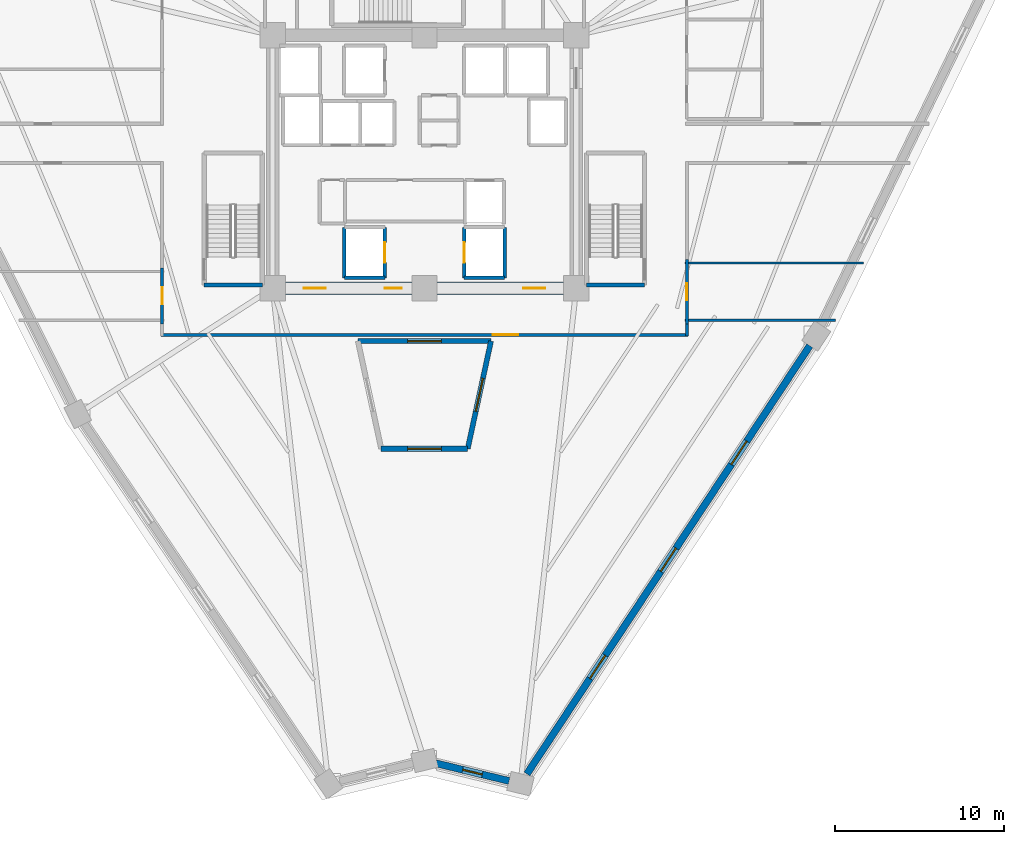
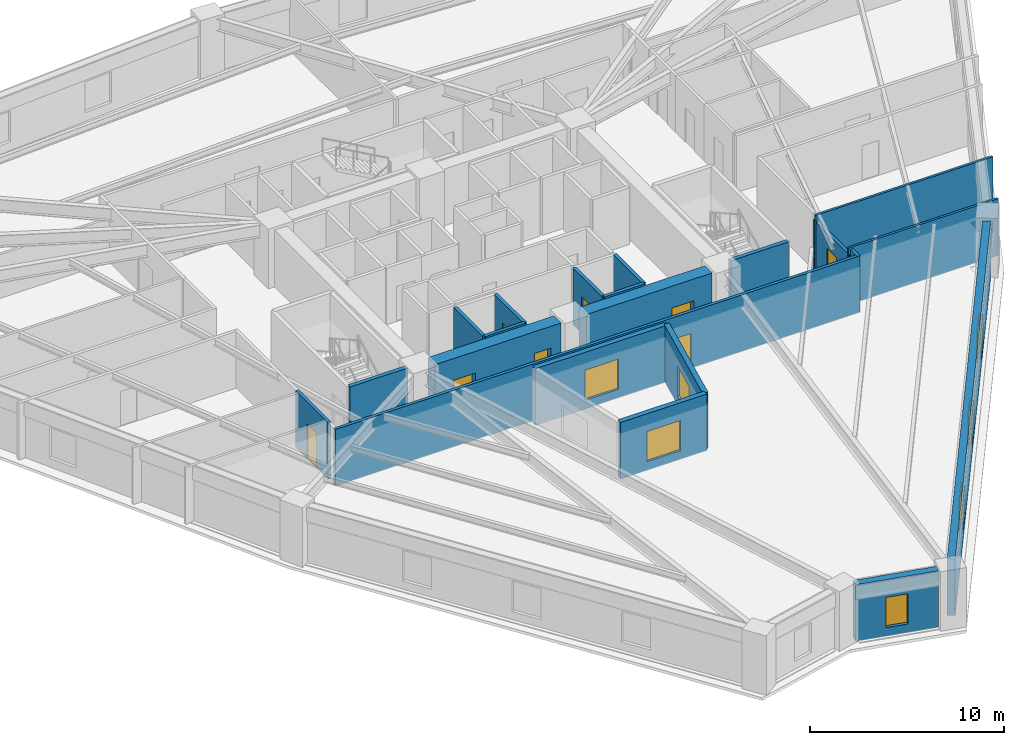
# One storey, part 3 of 10: 21 walls, 8 doors, 7 windows, 15 openings.
"""IFC4 building model written with IfcOpenShell, lengths in metres."""

from ifc_helpers import new_model, si_unit, direction, frame, frame_2d, origin, place, context, subcontext, project, spatial, rectangle, extrude, source, transform, mapped, material, layer, layer_set, type_object, element, fill, save


model = new_model("IFC4")

# Units and contexts
model_context = context("Model", 3, precision=1e-05, world=origin(), true_north=direction((0.0, 1.0)))
body_context = subcontext(model_context, "Body", "Model", "MODEL_VIEW")
ifc_project = project(units=[si_unit("LENGTHUNIT", "METRE"), si_unit("AREAUNIT", "SQUARE_METRE"), si_unit("VOLUMEUNIT", "CUBIC_METRE"), si_unit("PLANEANGLEUNIT", "RADIAN"), si_unit("MASSUNIT", "GRAM", prefix="KILO")], contexts=[model_context])

# Site, building, storey
site_placement = place(None, origin())
site = spatial("IfcSite", under=ifc_project, at=site_placement, CompositionType="ELEMENT")
building_placement = place(site_placement, origin())
building = spatial("IfcBuilding", under=site, at=building_placement, Name="Liaohun Quay Tower", CompositionType="ELEMENT")
storey_placement = place(building_placement, frame((0.0, 0.0, 166.5)))
storey = spatial("IfcBuildingStorey", under=building, at=storey_placement, Name="L43", CompositionType="ELEMENT", Elevation=166.5)

# Wall, opening, window
ifc_material_1 = material(Name="Concrete C50", Category="concrete")
ifc_layer_1 = layer(ifc_material_1, 0.300048828125, Name="Concrete C50", Category="concrete")
ifc_layer_set_1 = layer_set([ifc_layer_1], Name="Concrete C50")
wall_type_1 = type_object("IfcWallType", Name="WAL-ATR-300", PredefinedType="SOLIDWALL", material=ifc_layer_set_1)
wall_1_placement = place(storey_placement, frame((56.054931640625, 43.3701171875, 0.0), z_axis=(0.0, 0.0, 1.0), x_axis=(1.0, 0.0, 0.0)))
wall_1 = element("IfcWall", 1, at=wall_1_placement, inside=storey, type_object=wall_type_1, Name="L43 Atrium Fire Compartment Wall 2", PredefinedType="SOLIDWALL", context=body_context, shape_type="SweptSolid", body=[
    extrude(rectangle(XDim=7.89013671875, YDim=0.300048828125, at=frame_2d((3.945068359375, 0.0))), origin(), (0.0, 0.0, 1.0), 3.570068359375),
])
shared_shape_1 = source(origin(), body_context, "Body", "SweptSolid", [
    extrude(rectangle(XDim=2.0, YDim=1.89990234375, at=frame_2d((1.0, 0.949951171875))), frame((0.0, 0.159912109375, 0.0), z_axis=(0.0, -1.0, 0.0), x_axis=(1.0, 0.0, 0.0)), (0.0, 0.0, 1.0), 0.320068359375),
])
opening_1_placement = place(wall_1_placement, frame((2.945068359375, 0.0, 0.550048828125)))
opening_1 = element("IfcOpeningElement", 2, at=opening_1_placement, cuts=wall_1, Name="Opening W07", PredefinedType="OPENING", context=body_context, shape_type="MappedRepresentation", body=[
    mapped(shared_shape_1, transform((0.0, 0.0, 0.0), x_axis=(1.0, 0.0, 0.0), y_axis=(0.0, 1.0, 0.0), z_axis=(0.0, 0.0, 1.0), scale=1.0)),
])
ifc_material_2 = material(Name="Class A 180-min fire-resistant insulated glazing", Category="glass")
window_type_1 = type_object("IfcWindowType", Name="WIN-ATR-FIR", PartitioningType="DOUBLE_PANEL_VERTICAL", PredefinedType="WINDOW", material=ifc_material_2)
shared_shape_2 = source(origin(), body_context, "Body", "SweptSolid", [
    extrude(rectangle(XDim=2.0, YDim=1.89990234375, at=frame_2d((1.0, 0.949951171875))), frame((0.0, 0.030029296875, 0.0), z_axis=(0.0, -1.0, 0.0), x_axis=(1.0, 0.0, 0.0)), (0.0, 0.0, 1.0), 0.06005859375),
])
window_1_placement = place(opening_1_placement, origin())
window_1 = element("IfcWindow", 3, at=window_1_placement, inside=storey, type_object=window_type_1, Name="L43 Atrium Fire-Resistant Glazing W07-2", OverallHeight=1.89990234375, OverallWidth=2.0, PartitioningType="DOUBLE_PANEL_VERTICAL", PredefinedType="WINDOW", context=body_context, shape_type="MappedRepresentation", body=[
    mapped(shared_shape_2, transform((0.0, 0.0, 0.0), x_axis=(1.0, 0.0, 0.0), y_axis=(0.0, 1.0, 0.0), z_axis=(0.0, 0.0, 1.0), scale=1.0)),
])
fill(opening_1, window_1)

wall_2_placement = place(storey_placement, frame((63.945068359375, 43.3701171875, 0.0), z_axis=(0.0, 0.0, 1.0), x_axis=(-0.211414812525, -0.977396427784, 0.0)))
wall_2 = element("IfcWall", 4, at=wall_2_placement, inside=storey, type_object=wall_type_1, Name="L43 Atrium Fire Compartment Wall 3", PredefinedType="SOLIDWALL", context=body_context, shape_type="SweptSolid", body=[
    extrude(rectangle(XDim=6.53271484375, YDim=0.300048828125, at=frame_2d((3.266357421875, 0.0))), origin(), (0.0, 0.0, 1.0), 3.570068359375),
])
opening_2_placement = place(wall_2_placement, frame((2.26611328125, 0.0, 0.550048828125)))
opening_2 = element("IfcOpeningElement", 5, at=opening_2_placement, cuts=wall_2, Name="Opening W07", PredefinedType="OPENING", context=body_context, shape_type="MappedRepresentation", body=[
    mapped(shared_shape_1, transform((0.0, 0.0, 0.0), x_axis=(1.0, 0.0, 0.0), y_axis=(0.0, 1.0, 0.0), z_axis=(0.0, 0.0, 1.0), scale=1.0)),
])
window_2_placement = place(opening_2_placement, origin())
window_2 = element("IfcWindow", 6, at=window_2_placement, inside=storey, type_object=window_type_1, Name="L43 Atrium Fire-Resistant Glazing W07-3", OverallHeight=1.89990234375, OverallWidth=2.0, PartitioningType="DOUBLE_PANEL_VERTICAL", PredefinedType="WINDOW", context=body_context, shape_type="MappedRepresentation", body=[
    mapped(shared_shape_2, transform((0.0, 0.0, 0.0), x_axis=(1.0, 0.0, 0.0), y_axis=(0.0, 1.0, 0.0), z_axis=(0.0, 0.0, 1.0), scale=1.0)),
])
fill(opening_2, window_2)

wall_3_placement = place(storey_placement, frame((62.56396484375, 36.985107421875, 0.0), z_axis=(0.0, 0.0, 1.0), x_axis=(-1.0, 0.0, 0.0)))
wall_3 = element("IfcWall", 7, at=wall_3_placement, inside=storey, type_object=wall_type_1, Name="L43 Atrium Fire Compartment Wall 4", PredefinedType="SOLIDWALL", context=body_context, shape_type="SweptSolid", body=[
    extrude(rectangle(XDim=5.1279296875, YDim=0.300048828125, at=frame_2d((2.56396484375, 0.0))), origin(), (0.0, 0.0, 1.0), 3.570068359375),
])
opening_3_placement = place(wall_3_placement, frame((1.56396484375, 0.0, 0.550048828125)))
opening_3 = element("IfcOpeningElement", 8, at=opening_3_placement, cuts=wall_3, Name="Opening W07", PredefinedType="OPENING", context=body_context, shape_type="MappedRepresentation", body=[
    mapped(shared_shape_1, transform((0.0, 0.0, 0.0), x_axis=(1.0, 0.0, 0.0), y_axis=(0.0, 1.0, 0.0), z_axis=(0.0, 0.0, 1.0), scale=1.0)),
])
window_3_placement = place(opening_3_placement, origin())
window_3 = element("IfcWindow", 9, at=window_3_placement, inside=storey, type_object=window_type_1, Name="L43 Atrium Fire-Resistant Glazing W07-4", OverallHeight=1.89990234375, OverallWidth=2.0, PartitioningType="DOUBLE_PANEL_VERTICAL", PredefinedType="WINDOW", context=body_context, shape_type="MappedRepresentation", body=[
    mapped(shared_shape_2, transform((0.0, 0.0, 0.0), x_axis=(1.0, 0.0, 0.0), y_axis=(0.0, 1.0, 0.0), z_axis=(0.0, 0.0, 1.0), scale=1.0)),
])
fill(opening_3, window_3)

# Wall, opening, door
ifc_material_3 = material(Name="Concrete C60", Category="concrete")
ifc_layer_2 = layer(ifc_material_3, 0.75, Name="Concrete C60", Category="concrete")
ifc_layer_set_2 = layer_set([ifc_layer_2], Name="Concrete C60")
wall_type_2 = type_object("IfcWallType", Name="WAL-COR-Z2", PredefinedType="SHEAR", material=ifc_layer_set_2)
wall_4_placement = place(storey_placement, frame((68.25, 46.5, 0.0), z_axis=(0.0, 0.0, 1.0), x_axis=(-1.0, 0.0, 0.0)))
wall_4 = element("IfcWall", 10, at=wall_4_placement, inside=storey, type_object=wall_type_2, Name="L43 Central Core Shear Wall S-E", PredefinedType="SHEAR", context=body_context, shape_type="SweptSolid", body=[
    extrude(rectangle(XDim=7.5, YDim=0.75, at=frame_2d((3.75, 0.0))), origin(), (0.0, 0.0, 1.0), 3.570068359375),
])
shared_shape_3 = source(origin(), body_context, "Body", "SweptSolid", [
    extrude(rectangle(XDim=1.300048828125, YDim=2.199951171875, at=frame_2d((0.64990234375, 1.10009765625))), frame((0.0, 0.385009765625, 0.0), z_axis=(0.0, -1.0, 0.0), x_axis=(1.0, 0.0, 0.0)), (0.0, 0.0, 1.0), 0.77001953125),
])
opening_4_placement = place(wall_4_placement, frame((1.10009765625, 0.0, 0.0)))
opening_4 = element("IfcOpeningElement", 11, at=opening_4_placement, cuts=wall_4, Name="Opening FD1", PredefinedType="OPENING", context=body_context, shape_type="MappedRepresentation", body=[
    mapped(shared_shape_3, transform((0.0, 0.0, 0.0), x_axis=(1.0, 0.0, 0.0), y_axis=(0.0, 1.0, 0.0), z_axis=(0.0, 0.0, 1.0), scale=1.0)),
])
ifc_material_4 = material(Name="Galvanised steel smokeproof fire door", Category="steel")
door_type_1 = type_object("IfcDoorType", Name="DOR-FFL-1300", OperationType="NOTDEFINED", PredefinedType="DOOR", material=ifc_material_4)
shared_shape_4 = source(origin(), body_context, "Body", "SweptSolid", [
    extrude(rectangle(XDim=1.300048828125, YDim=2.199951171875, at=frame_2d((0.64990234375, 1.10009765625))), frame((0.0, 0.02490234375, 0.0), z_axis=(0.0, -1.0, 0.0), x_axis=(1.0, 0.0, 0.0)), (0.0, 0.0, 1.0), 0.050048828125),
])
door_1_placement = place(opening_4_placement, origin())
door_1 = element("IfcDoor", 12, at=door_1_placement, inside=storey, type_object=door_type_1, Name="L43 East Core Lift Lobby Smokeproof Door", OperationType="SINGLE_SWING_LEFT", OverallHeight=2.199951171875, OverallWidth=1.300048828125, PredefinedType="DOOR", context=body_context, shape_type="MappedRepresentation", body=[
    mapped(shared_shape_4, transform((0.0, 0.0, 0.0), x_axis=(1.0, 0.0, 0.0), y_axis=(0.0, 1.0, 0.0), z_axis=(0.0, 0.0, 1.0), scale=1.0)),
])
fill(opening_4, door_1)

# Wall, openings, doors
wall_5_placement = place(storey_placement, frame((59.25, 46.5, 0.0), z_axis=(0.0, 0.0, 1.0), x_axis=(-1.0, 0.0, 0.0)))
wall_5 = element("IfcWall", 13, at=wall_5_placement, inside=storey, type_object=wall_type_2, Name="L43 Central Core Shear Wall S-W", PredefinedType="SHEAR", context=body_context, shape_type="SweptSolid", body=[
    extrude(rectangle(XDim=7.5, YDim=0.75, at=frame_2d((3.75, 0.0))), origin(), (0.0, 0.0, 1.0), 3.570068359375),
])
opening_5_placement = place(wall_5_placement, frame((5.10009765625, 0.0, 0.0)))
opening_5 = element("IfcOpeningElement", 14, at=opening_5_placement, cuts=wall_5, Name="Opening FD1", PredefinedType="OPENING", context=body_context, shape_type="MappedRepresentation", body=[
    mapped(shared_shape_3, transform((0.0, 0.0, 0.0), x_axis=(1.0, 0.0, 0.0), y_axis=(0.0, 1.0, 0.0), z_axis=(0.0, 0.0, 1.0), scale=1.0)),
])
shared_shape_5 = source(origin(), body_context, "Body", "SweptSolid", [
    extrude(rectangle(XDim=1.0, YDim=2.199951171875, at=frame_2d((0.5, 1.10009765625))), frame((0.0, 0.385009765625, 0.0), z_axis=(0.0, -1.0, 0.0), x_axis=(1.0, 0.0, 0.0)), (0.0, 0.0, 1.0), 0.77001953125),
])
opening_6_placement = place(wall_5_placement, frame((0.60009765625, 0.0, 0.0)))
opening_6 = element("IfcOpeningElement", 15, at=opening_6_placement, cuts=wall_5, Name="Opening FD2", PredefinedType="OPENING", context=body_context, shape_type="MappedRepresentation", body=[
    mapped(shared_shape_5, transform((0.0, 0.0, 0.0), x_axis=(1.0, 0.0, 0.0), y_axis=(0.0, 1.0, 0.0), z_axis=(0.0, 0.0, 1.0), scale=1.0)),
])
door_2_placement = place(opening_5_placement, origin())
door_2 = element("IfcDoor", 16, at=door_2_placement, inside=storey, type_object=door_type_1, Name="L43 West Core Lift Lobby Smokeproof Door", OperationType="SINGLE_SWING_RIGHT", OverallHeight=2.199951171875, OverallWidth=1.300048828125, PredefinedType="DOOR", context=body_context, shape_type="MappedRepresentation", body=[
    mapped(shared_shape_4, transform((0.0, 0.0, 0.0), x_axis=(1.0, 0.0, 0.0), y_axis=(0.0, 1.0, 0.0), z_axis=(0.0, 0.0, 1.0), scale=1.0)),
])
fill(opening_5, door_2)
ifc_material_5 = material(Name="Galvanised steel smokeproof lobby fire door", Category="steel")
door_type_2 = type_object("IfcDoorType", Name="DOR-FFL-1000", OperationType="NOTDEFINED", PredefinedType="DOOR", material=ifc_material_5)
shared_shape_6 = source(origin(), body_context, "Body", "SweptSolid", [
    extrude(rectangle(XDim=1.0, YDim=2.199951171875, at=frame_2d((0.5, 1.10009765625))), frame((0.0, 0.02490234375, 0.0), z_axis=(0.0, -1.0, 0.0), x_axis=(1.0, 0.0, 0.0)), (0.0, 0.0, 1.0), 0.050048828125),
])
door_3_placement = place(opening_6_placement, origin())
door_3 = element("IfcDoor", 17, at=door_3_placement, inside=storey, type_object=door_type_2, Name="L43 South Firefighting Lobby Smokeproof Door", OperationType="SINGLE_SWING_LEFT", OverallHeight=2.199951171875, OverallWidth=1.0, PredefinedType="DOOR", context=body_context, shape_type="MappedRepresentation", body=[
    mapped(shared_shape_6, transform((0.0, 0.0, 0.0), x_axis=(1.0, 0.0, 0.0), y_axis=(0.0, 1.0, 0.0), z_axis=(0.0, 0.0, 1.0), scale=1.0)),
])
fill(opening_6, door_3)

# Wall, opening, window
ifc_material_6 = material(Name="Precast concrete C50 insulated sandwich", Category="concrete")
ifc_layer_3 = layer(ifc_material_6, 0.419921875, Name="Precast concrete C50 insulated sandwich", Category="concrete")
ifc_layer_set_3 = layer_set([ifc_layer_3], Name="Precast concrete C50 insulated sandwich")
wall_type_3 = type_object("IfcWallType", Name="WAL-EXT-Z12", PredefinedType="SOLIDWALL", material=ifc_layer_set_3)
wall_6_placement = place(storey_placement, frame((60.6708984375, 18.3359375, 0.0), z_axis=(0.0, 0.0, 1.0), x_axis=(0.972043157931, -0.234802255353, 0.0)))
wall_6 = element("IfcWall", 18, at=wall_6_placement, inside=storey, type_object=wall_type_3, Name="L43 Brutalist Precast Pier Wall 01", PredefinedType="SOLIDWALL", context=body_context, shape_type="SweptSolid", body=[
    extrude(rectangle(XDim=4.476318359375, YDim=0.419921875, at=frame_2d((2.23828125, 0.0))), origin(), (0.0, 0.0, 1.0), 3.570068359375),
])
shared_shape_7 = source(origin(), body_context, "Body", "SweptSolid", [
    extrude(rectangle(XDim=1.199951171875, YDim=1.89990234375, at=frame_2d((0.60009765625, 0.949951171875))), frame((0.0, 0.219970703125, 0.0), z_axis=(0.0, -1.0, 0.0), x_axis=(1.0, 0.0, 0.0)), (0.0, 0.0, 1.0), 0.43994140625),
])
opening_7_placement = place(wall_6_placement, frame((1.637939453125, 0.0, 0.550048828125)))
opening_7 = element("IfcOpeningElement", 19, at=opening_7_placement, cuts=wall_6, Name="Opening W05", PredefinedType="OPENING", context=body_context, shape_type="MappedRepresentation", body=[
    mapped(shared_shape_7, transform((0.0, 0.0, 0.0), x_axis=(1.0, 0.0, 0.0), y_axis=(0.0, 1.0, 0.0), z_axis=(0.0, 0.0, 1.0), scale=1.0)),
])
ifc_material_7 = material(Name="Triple Low-E corner notch glazing", Category="glass")
window_type_2 = type_object("IfcWindowType", Name="WIN-NOTCH", PartitioningType="SINGLE_PANEL", PredefinedType="WINDOW", material=ifc_material_7)
shared_shape_8 = source(origin(), body_context, "Body", "SweptSolid", [
    extrude(rectangle(XDim=1.199951171875, YDim=1.89990234375, at=frame_2d((0.60009765625, 0.949951171875))), frame((0.0, 0.030029296875, 0.0), z_axis=(0.0, -1.0, 0.0), x_axis=(1.0, 0.0, 0.0)), (0.0, 0.0, 1.0), 0.06005859375),
])
window_4_placement = place(opening_7_placement, origin())
window_4 = element("IfcWindow", 20, at=window_4_placement, inside=storey, type_object=window_type_2, Name="L43 Corner Notch Window W05-01", OverallHeight=1.89990234375, OverallWidth=1.199951171875, PartitioningType="SINGLE_PANEL", PredefinedType="WINDOW", context=body_context, shape_type="MappedRepresentation", body=[
    mapped(shared_shape_8, transform((0.0, 0.0, 0.0), x_axis=(1.0, 0.0, 0.0), y_axis=(0.0, 1.0, 0.0), z_axis=(0.0, 0.0, 1.0), scale=1.0)),
])
fill(opening_7, window_4)

# Wall, openings, windows
wall_7_placement = place(storey_placement, frame((66.072998046875, 17.698974609375, 0.0), z_axis=(0.0, 0.0, 1.0), x_axis=(0.551232339882, 0.834351788796, 0.0)))
wall_7 = element("IfcWall", 21, at=wall_7_placement, inside=storey, type_object=wall_type_3, Name="L43 Brutalist Precast Pier Wall 02", PredefinedType="SOLIDWALL", context=body_context, shape_type="SweptSolid", body=[
    extrude(rectangle(XDim=30.439208984375, YDim=0.419921875, at=frame_2d((15.2197265625, 0.0))), origin(), (0.0, 0.0, 1.0), 3.570068359375),
])
shared_shape_9 = source(origin(), body_context, "Body", "SweptSolid", [
    extrude(rectangle(XDim=1.64990234375, YDim=1.949951171875, at=frame_2d((0.824951171875, 0.97509765625))), frame((0.0, 0.219970703125, 0.0), z_axis=(0.0, -1.0, 0.0), x_axis=(1.0, 0.0, 0.0)), (0.0, 0.0, 1.0), 0.43994140625),
])
opening_8_placement = place(wall_7_placement, frame((6.784912109375, 0.0, 0.550048828125)))
opening_8 = element("IfcOpeningElement", 22, at=opening_8_placement, cuts=wall_7, Name="Opening W02", PredefinedType="OPENING", context=body_context, shape_type="MappedRepresentation", body=[
    mapped(shared_shape_9, transform((0.0, 0.0, 0.0), x_axis=(1.0, 0.0, 0.0), y_axis=(0.0, 1.0, 0.0), z_axis=(0.0, 0.0, 1.0), scale=1.0)),
])
opening_9_placement = place(wall_7_placement, frame((14.39501953125, 0.0, 0.550048828125)))
opening_9 = element("IfcOpeningElement", 23, at=opening_9_placement, cuts=wall_7, Name="Opening W02", PredefinedType="OPENING", context=body_context, shape_type="MappedRepresentation", body=[
    mapped(shared_shape_9, transform((0.0, 0.0, 0.0), x_axis=(1.0, 0.0, 0.0), y_axis=(0.0, 1.0, 0.0), z_axis=(0.0, 0.0, 1.0), scale=1.0)),
])
opening_10_placement = place(wall_7_placement, frame((22.00390625, 0.0, 0.550048828125)))
opening_10 = element("IfcOpeningElement", 24, at=opening_10_placement, cuts=wall_7, Name="Opening W02", PredefinedType="OPENING", context=body_context, shape_type="MappedRepresentation", body=[
    mapped(shared_shape_9, transform((0.0, 0.0, 0.0), x_axis=(1.0, 0.0, 0.0), y_axis=(0.0, 1.0, 0.0), z_axis=(0.0, 0.0, 1.0), scale=1.0)),
])
ifc_material_8 = material(Name="Triple Low-E argon glazing in thermally broken aluminium", Category="aluminium")
window_type_3 = type_object("IfcWindowType", Name="WIN-PUN-Z2", PartitioningType="DOUBLE_PANEL_VERTICAL", PredefinedType="WINDOW", material=ifc_material_8)
shared_shape_10 = source(origin(), body_context, "Body", "SweptSolid", [
    extrude(rectangle(XDim=1.64990234375, YDim=1.949951171875, at=frame_2d((0.824951171875, 0.97509765625))), frame((0.0, 0.030029296875, 0.0), z_axis=(0.0, -1.0, 0.0), x_axis=(1.0, 0.0, 0.0)), (0.0, 0.0, 1.0), 0.06005859375),
])
window_5_placement = place(opening_8_placement, origin())
window_5 = element("IfcWindow", 25, at=window_5_placement, inside=storey, type_object=window_type_3, Name="L43 Recessed Cold-Climate Punched Window 02-1", OverallHeight=1.949951171875, OverallWidth=1.64990234375, PartitioningType="DOUBLE_PANEL_VERTICAL", PredefinedType="WINDOW", context=body_context, shape_type="MappedRepresentation", body=[
    mapped(shared_shape_10, transform((0.0, 0.0, 0.0), x_axis=(1.0, 0.0, 0.0), y_axis=(0.0, 1.0, 0.0), z_axis=(0.0, 0.0, 1.0), scale=1.0)),
])
fill(opening_8, window_5)
window_6_placement = place(opening_9_placement, origin())
window_6 = element("IfcWindow", 26, at=window_6_placement, inside=storey, type_object=window_type_3, Name="L43 Recessed Cold-Climate Punched Window 02-2", OverallHeight=1.949951171875, OverallWidth=1.64990234375, PartitioningType="DOUBLE_PANEL_VERTICAL", PredefinedType="WINDOW", context=body_context, shape_type="MappedRepresentation", body=[
    mapped(shared_shape_10, transform((0.0, 0.0, 0.0), x_axis=(1.0, 0.0, 0.0), y_axis=(0.0, 1.0, 0.0), z_axis=(0.0, 0.0, 1.0), scale=1.0)),
])
fill(opening_9, window_6)
window_7_placement = place(opening_10_placement, origin())
window_7 = element("IfcWindow", 27, at=window_7_placement, inside=storey, type_object=window_type_3, Name="L43 Recessed Cold-Climate Punched Window 02-3", OverallHeight=1.949951171875, OverallWidth=1.64990234375, PartitioningType="DOUBLE_PANEL_VERTICAL", PredefinedType="WINDOW", context=body_context, shape_type="MappedRepresentation", body=[
    mapped(shared_shape_10, transform((0.0, 0.0, 0.0), x_axis=(1.0, 0.0, 0.0), y_axis=(0.0, 1.0, 0.0), z_axis=(0.0, 0.0, 1.0), scale=1.0)),
])
fill(opening_10, window_7)

# Wall, opening, door
ifc_material_9 = material(Name="Autoclaved aerated concrete blockwork", Category="masonry")
ifc_layer_4 = layer(ifc_material_9, 0.179931640625, Name="Autoclaved aerated concrete blockwork", Category="masonry")
ifc_layer_set_4 = layer_set([ifc_layer_4], Name="Autoclaved aerated concrete blockwork")
wall_type_4 = type_object("IfcWallType", Name="WAL-PRT-COR", PredefinedType="PARTITIONING", material=ifc_layer_set_4)
wall_8_placement = place(storey_placement, frame((44.43994140625, 44.385009765625, 0.0), z_axis=(0.0, 0.0, 1.0), x_axis=(0.0, 1.0, 0.0)))
wall_8 = element("IfcWall", 28, at=wall_8_placement, inside=storey, type_object=wall_type_4, Name="L43 Interior Partition Wall 021", PredefinedType="PARTITIONING", context=body_context, shape_type="SweptSolid", body=[
    extrude(rectangle(XDim=3.330078125, YDim=0.179931640625, at=frame_2d((1.6650390625, 0.0))), origin(), (0.0, 0.0, 1.0), 3.570068359375),
])
shared_shape_11 = source(origin(), body_context, "Body", "SweptSolid", [
    extrude(rectangle(XDim=1.0, YDim=2.199951171875, at=frame_2d((0.5, 1.10009765625))), frame((0.0, 0.099853515625, 0.0), z_axis=(0.0, -1.0, 0.0), x_axis=(1.0, 0.0, 0.0)), (0.0, 0.0, 1.0), 0.199951171875),
])
opening_11_placement = place(wall_8_placement, frame((1.1650390625, 0.0, 0.0)))
opening_11 = element("IfcOpeningElement", 29, at=opening_11_placement, cuts=wall_8, Name="Opening OD1", PredefinedType="OPENING", context=body_context, shape_type="MappedRepresentation", body=[
    mapped(shared_shape_11, transform((0.0, 0.0, 0.0), x_axis=(1.0, 0.0, 0.0), y_axis=(0.0, 1.0, 0.0), z_axis=(0.0, 0.0, 1.0), scale=1.0)),
])
ifc_material_10 = material(Name="Solid-core oak veneer timber leaf in steel frame", Category="steel")
door_type_3 = type_object("IfcDoorType", Name="DOR-OFF-1000", OperationType="NOTDEFINED", PredefinedType="DOOR", material=ifc_material_10)
door_4_placement = place(opening_11_placement, origin())
door_4 = element("IfcDoor", 30, at=door_4_placement, inside=storey, type_object=door_type_3, Name="L43 Technical Reference Library 07 Door", OperationType="SINGLE_SWING_RIGHT", OverallHeight=2.199951171875, OverallWidth=1.0, PredefinedType="DOOR", context=body_context, shape_type="MappedRepresentation", body=[
    mapped(shared_shape_6, transform((0.0, 0.0, 0.0), x_axis=(1.0, 0.0, 0.0), y_axis=(0.0, 1.0, 0.0), z_axis=(0.0, 0.0, 1.0), scale=1.0)),
])
fill(opening_11, door_4)

wall_9_placement = place(storey_placement, frame((75.6298828125, 43.739990234375, 0.0), z_axis=(0.0, 0.0, 1.0), x_axis=(-1.0, 0.0, 0.0)))
wall_9 = element("IfcWall", 31, at=wall_9_placement, inside=storey, type_object=wall_type_4, Name="L43 Interior Partition Wall 022", PredefinedType="PARTITIONING", context=body_context, shape_type="SweptSolid", body=[
    extrude(rectangle(XDim=31.259765625, YDim=0.179931640625, at=frame_2d((15.6298828125, 0.0))), origin(), (0.0, 0.0, 1.0), 3.570068359375),
])
shared_shape_12 = source(origin(), body_context, "Body", "SweptSolid", [
    extrude(rectangle(XDim=1.5, YDim=2.199951171875, at=frame_2d((0.75, 1.10009765625))), frame((0.0, 0.099853515625, 0.0), z_axis=(0.0, -1.0, 0.0), x_axis=(1.0, 0.0, 0.0)), (0.0, 0.0, 1.0), 0.199951171875),
])
opening_12_placement = place(wall_9_placement, frame((10.080078125, 0.0, 0.0)))
opening_12 = element("IfcOpeningElement", 32, at=opening_12_placement, cuts=wall_9, Name="Opening OD2", PredefinedType="OPENING", context=body_context, shape_type="MappedRepresentation", body=[
    mapped(shared_shape_12, transform((0.0, 0.0, 0.0), x_axis=(1.0, 0.0, 0.0), y_axis=(0.0, 1.0, 0.0), z_axis=(0.0, 0.0, 1.0), scale=1.0)),
])
ifc_material_11 = material(Name="Acoustic oak veneer double door")
door_type_4 = type_object("IfcDoorType", Name="DOR-OFF-1500", OperationType="DOUBLE_DOOR_SINGLE_SWING", PredefinedType="DOOR", material=ifc_material_11)
shared_shape_13 = source(origin(), body_context, "Body", "SweptSolid", [
    extrude(rectangle(XDim=1.5, YDim=2.199951171875, at=frame_2d((0.75, 1.10009765625))), frame((0.0, 0.02490234375, 0.0), z_axis=(0.0, -1.0, 0.0), x_axis=(1.0, 0.0, 0.0)), (0.0, 0.0, 1.0), 0.050048828125),
])
door_5_placement = place(opening_12_placement, origin())
door_5 = element("IfcDoor", 33, at=door_5_placement, inside=storey, type_object=door_type_4, Name="L43 Corporate Exhibition Gallery 08 Door", OperationType="DOUBLE_DOOR_SINGLE_SWING", OverallHeight=2.199951171875, OverallWidth=1.5, PredefinedType="DOOR", context=body_context, shape_type="MappedRepresentation", body=[
    mapped(shared_shape_13, transform((0.0, 0.0, 0.0), x_axis=(1.0, 0.0, 0.0), y_axis=(0.0, 1.0, 0.0), z_axis=(0.0, 0.0, 1.0), scale=1.0)),
])
fill(opening_12, door_5)

wall_10_placement = place(storey_placement, frame((75.56005859375, 48.215087890625, 0.0), z_axis=(0.0, 0.0, 1.0), x_axis=(0.0, -1.0, 0.0)))
wall_10 = element("IfcWall", 34, at=wall_10_placement, inside=storey, type_object=wall_type_4, Name="L43 Interior Partition Wall 023", PredefinedType="PARTITIONING", context=body_context, shape_type="SweptSolid", body=[
    extrude(rectangle(XDim=3.830078125, YDim=0.179931640625, at=frame_2d((1.9150390625, 0.0))), origin(), (0.0, 0.0, 1.0), 3.155029296875),
])
opening_13_placement = place(wall_10_placement, frame((1.4150390625, 0.0, 0.0)))
opening_13 = element("IfcOpeningElement", 35, at=opening_13_placement, cuts=wall_10, Name="Opening OD1", PredefinedType="OPENING", context=body_context, shape_type="MappedRepresentation", body=[
    mapped(shared_shape_11, transform((0.0, 0.0, 0.0), x_axis=(1.0, 0.0, 0.0), y_axis=(0.0, 1.0, 0.0), z_axis=(0.0, 0.0, 1.0), scale=1.0)),
])
door_6_placement = place(opening_13_placement, origin())
door_6 = element("IfcDoor", 36, at=door_6_placement, inside=storey, type_object=door_type_3, Name="L43 Records Archive Store 09 Door", OperationType="SINGLE_SWING_RIGHT", OverallHeight=2.199951171875, OverallWidth=1.0, PredefinedType="DOOR", context=body_context, shape_type="MappedRepresentation", body=[
    mapped(shared_shape_6, transform((0.0, 0.0, 0.0), x_axis=(1.0, 0.0, 0.0), y_axis=(0.0, 1.0, 0.0), z_axis=(0.0, 0.0, 1.0), scale=1.0)),
])
fill(opening_13, door_6)

# Walls
wall_11_placement = place(storey_placement, frame((75.56005859375, 44.385009765625, 0.0), z_axis=(0.0, 0.0, 1.0), x_axis=(0.0, -1.0, 0.0)))
element("IfcWall", 37, at=wall_11_placement, inside=storey, type_object=wall_type_4, Name="L43 Interior Partition Wall 047", PredefinedType="PARTITIONING", context=body_context, shape_type="SweptSolid", body=[
    extrude(rectangle(XDim=0.715087890625, YDim=0.179931640625, at=frame_2d((0.357421875, 0.0))), origin(), (0.0, 0.0, 1.0), 3.570068359375),
])
ifc_material_12 = material(Name="Gypsum board on twin steel studs", Category="steel")
ifc_layer_5 = layer(ifc_material_12, 0.139892578125, Name="Gypsum board on twin steel studs", Category="steel")
ifc_layer_set_5 = layer_set([ifc_layer_5], Name="Gypsum board on twin steel studs")
wall_type_5 = type_object("IfcWallType", Name="WAL-PRT-OFF", PredefinedType="PARTITIONING", material=ifc_layer_set_5)
wall_12_placement = place(storey_placement, frame((75.4599609375, 44.60009765625, 0.0), z_axis=(0.0, 0.0, 1.0), x_axis=(1.0, 0.0, 0.0)))
element("IfcWall", 38, at=wall_12_placement, inside=storey, type_object=wall_type_5, Name="L43 Interior Partition Wall 053", PredefinedType="PARTITIONING", context=body_context, shape_type="SweptSolid", body=[
    extrude(rectangle(XDim=8.922119140625, YDim=0.139892578125, at=frame_2d((4.4609375, 0.0))), origin(), (0.0, 0.0, 1.0), 3.570068359375),
])
wall_13_placement = place(storey_placement, frame((75.4599609375, 48.0, 0.0), z_axis=(0.0, 0.0, 1.0), x_axis=(1.0, 0.0, 0.0)))
element("IfcWall", 39, at=wall_13_placement, inside=storey, type_object=wall_type_5, Name="L43 Interior Partition Wall 054", PredefinedType="PARTITIONING", context=body_context, shape_type="SweptSolid", body=[
    extrude(rectangle(XDim=10.571044921875, YDim=0.139892578125, at=frame_2d((5.28564453125, 0.0))), origin(), (0.0, 0.0, 1.0), 3.570068359375),
])
ifc_layer_6 = layer(ifc_material_1, 0.239990234375, Name="Concrete C50", Category="concrete")
ifc_layer_set_6 = layer_set([ifc_layer_6], Name="Concrete C50")
wall_type_6 = type_object("IfcWallType", Name="WAL-SHF-200", PredefinedType="SOLIDWALL", material=ifc_layer_set_6)
for number, where, z_axis, x_axis, name in (
    (40, (46.93994140625, 46.699951171875, 0.0), (0.0, 0.0, 1.0), (1.0, 0.0, 0.0), "L43 Stairwell ST-1 Structural Core Wall S"),
    (41, (69.6201171875, 46.699951171875, 0.0), (0.0, 0.0, 1.0), (1.0, 0.0, 0.0), "L43 Stairwell ST-2 Structural Core Wall S"),
):
    element("IfcWall", number, at=place(storey_placement, frame(where, z_axis=z_axis, x_axis=x_axis)), inside=storey, type_object=wall_type_6, Name=name, PredefinedType="SOLIDWALL", context=body_context, shape_type="SweptSolid", body=[
        extrude(rectangle(XDim=3.43994140625, YDim=0.239990234375, at=frame_2d((1.719970703125, 0.0))), origin(), (0.0, 0.0, 1.0), 3.570068359375),
    ])
wall_14_placement = place(storey_placement, frame((55.25, 47.1201171875, 0.0), z_axis=(0.0, 0.0, 1.0), x_axis=(1.0, 0.0, 0.0)))
element("IfcWall", 42, at=wall_14_placement, inside=storey, type_object=wall_type_6, Name="L43 Lift FF-01 Hoistway Wall S", PredefinedType="SOLIDWALL", context=body_context, shape_type="SweptSolid", body=[
    extrude(rectangle(XDim=2.39990234375, YDim=0.199951171875, at=frame_2d((1.199951171875, 0.0))), origin(), (0.0, 0.0, 1.0), 3.570068359375),
])

# Wall, opening, door
wall_15_placement = place(storey_placement, frame((57.64990234375, 47.1201171875, 0.0), z_axis=(0.0, 0.0, 1.0), x_axis=(0.0, 1.0, 0.0)))
wall_15 = element("IfcWall", 43, at=wall_15_placement, inside=storey, type_object=wall_type_6, Name="L43 Lift FF-01 Hoistway Wall E", PredefinedType="SOLIDWALL", context=body_context, shape_type="SweptSolid", body=[
    extrude(rectangle(XDim=3.0, YDim=0.199951171875, at=frame_2d((1.5, 0.0))), origin(), (0.0, 0.0, 1.0), 3.570068359375),
])
shared_shape_14 = source(origin(), body_context, "Body", "SweptSolid", [
    extrude(rectangle(XDim=1.199951171875, YDim=2.300048828125, at=frame_2d((0.60009765625, 1.14990234375))), frame((0.0, 0.10986328125, 0.0), z_axis=(0.0, -1.0, 0.0), x_axis=(1.0, 0.0, 0.0)), (0.0, 0.0, 1.0), 0.219970703125),
])
opening_14_placement = place(wall_15_placement, frame((0.89990234375, 0.0, 0.0)))
opening_14 = element("IfcOpeningElement", 44, at=opening_14_placement, cuts=wall_15, Name="Opening LD2", PredefinedType="OPENING", context=body_context, shape_type="MappedRepresentation", body=[
    mapped(shared_shape_14, transform((0.0, 0.0, 0.0), x_axis=(1.0, 0.0, 0.0), y_axis=(0.0, 1.0, 0.0), z_axis=(0.0, 0.0, 1.0), scale=1.0)),
])
ifc_material_13 = material(Name="Brushed stainless steel stretcher landing door", Category="steel")
door_type_5 = type_object("IfcDoorType", Name="DOR-LFT-1200", OperationType="SLIDING_TO_LEFT", PredefinedType="DOOR", material=ifc_material_13)
shared_shape_15 = source(origin(), body_context, "Body", "SweptSolid", [
    extrude(rectangle(XDim=1.199951171875, YDim=2.300048828125, at=frame_2d((0.60009765625, 1.14990234375))), frame((0.0, 0.02490234375, 0.0), z_axis=(0.0, -1.0, 0.0), x_axis=(1.0, 0.0, 0.0)), (0.0, 0.0, 1.0), 0.050048828125),
])
door_7_placement = place(opening_14_placement, origin())
door_7 = element("IfcDoor", 45, at=door_7_placement, inside=storey, type_object=door_type_5, Name="L43 Lift FF-01 Sliding Landing Door", OperationType="SLIDING_TO_LEFT", OverallHeight=2.300048828125, OverallWidth=1.199951171875, PredefinedType="DOOR", context=body_context, shape_type="MappedRepresentation", body=[
    mapped(shared_shape_15, transform((0.0, 0.0, 0.0), x_axis=(1.0, 0.0, 0.0), y_axis=(0.0, 1.0, 0.0), z_axis=(0.0, 0.0, 1.0), scale=1.0)),
])
fill(opening_14, door_7)

# Walls
wall_16_placement = place(storey_placement, frame((55.25, 50.1201171875, 0.0), z_axis=(0.0, 0.0, 1.0), x_axis=(0.0, -1.0, 0.0)))
element("IfcWall", 46, at=wall_16_placement, inside=storey, type_object=wall_type_6, Name="L43 Lift FF-01 Hoistway Wall W", PredefinedType="SOLIDWALL", context=body_context, shape_type="SweptSolid", body=[
    extrude(rectangle(XDim=3.0, YDim=0.199951171875, at=frame_2d((1.5, 0.0))), origin(), (0.0, 0.0, 1.0), 3.570068359375),
])
wall_17_placement = place(storey_placement, frame((62.35009765625, 47.1201171875, 0.0), z_axis=(0.0, 0.0, 1.0), x_axis=(1.0, 0.0, 0.0)))
element("IfcWall", 47, at=wall_17_placement, inside=storey, type_object=wall_type_6, Name="L43 Lift FF-02 Hoistway Wall S", PredefinedType="SOLIDWALL", context=body_context, shape_type="SweptSolid", body=[
    extrude(rectangle(XDim=2.39990234375, YDim=0.199951171875, at=frame_2d((1.199951171875, 0.0))), origin(), (0.0, 0.0, 1.0), 3.570068359375),
])
wall_18_placement = place(storey_placement, frame((64.75, 47.1201171875, 0.0), z_axis=(0.0, 0.0, 1.0), x_axis=(0.0, 1.0, 0.0)))
element("IfcWall", 48, at=wall_18_placement, inside=storey, type_object=wall_type_6, Name="L43 Lift FF-02 Hoistway Wall E", PredefinedType="SOLIDWALL", context=body_context, shape_type="SweptSolid", body=[
    extrude(rectangle(XDim=3.0, YDim=0.199951171875, at=frame_2d((1.5, 0.0))), origin(), (0.0, 0.0, 1.0), 3.570068359375),
])

# Wall, opening, door
wall_19_placement = place(storey_placement, frame((62.35009765625, 50.1201171875, 0.0), z_axis=(0.0, 0.0, 1.0), x_axis=(0.0, -1.0, 0.0)))
wall_19 = element("IfcWall", 49, at=wall_19_placement, inside=storey, type_object=wall_type_6, Name="L43 Lift FF-02 Hoistway Wall W", PredefinedType="SOLIDWALL", context=body_context, shape_type="SweptSolid", body=[
    extrude(rectangle(XDim=3.0, YDim=0.199951171875, at=frame_2d((1.5, 0.0))), origin(), (0.0, 0.0, 1.0), 3.570068359375),
])
opening_15_placement = place(wall_19_placement, frame((0.89990234375, 0.0, 0.0)))
opening_15 = element("IfcOpeningElement", 50, at=opening_15_placement, cuts=wall_19, Name="Opening LD2", PredefinedType="OPENING", context=body_context, shape_type="MappedRepresentation", body=[
    mapped(shared_shape_14, transform((0.0, 0.0, 0.0), x_axis=(1.0, 0.0, 0.0), y_axis=(0.0, 1.0, 0.0), z_axis=(0.0, 0.0, 1.0), scale=1.0)),
])
door_8_placement = place(opening_15_placement, origin())
door_8 = element("IfcDoor", 51, at=door_8_placement, inside=storey, type_object=door_type_5, Name="L43 Lift FF-02 Sliding Landing Door", OperationType="SLIDING_TO_LEFT", OverallHeight=2.300048828125, OverallWidth=1.199951171875, PredefinedType="DOOR", context=body_context, shape_type="MappedRepresentation", body=[
    mapped(shared_shape_15, transform((0.0, 0.0, 0.0), x_axis=(1.0, 0.0, 0.0), y_axis=(0.0, 1.0, 0.0), z_axis=(0.0, 0.0, 1.0), scale=1.0)),
])
fill(opening_15, door_8)

save(model, "model.ifc")
